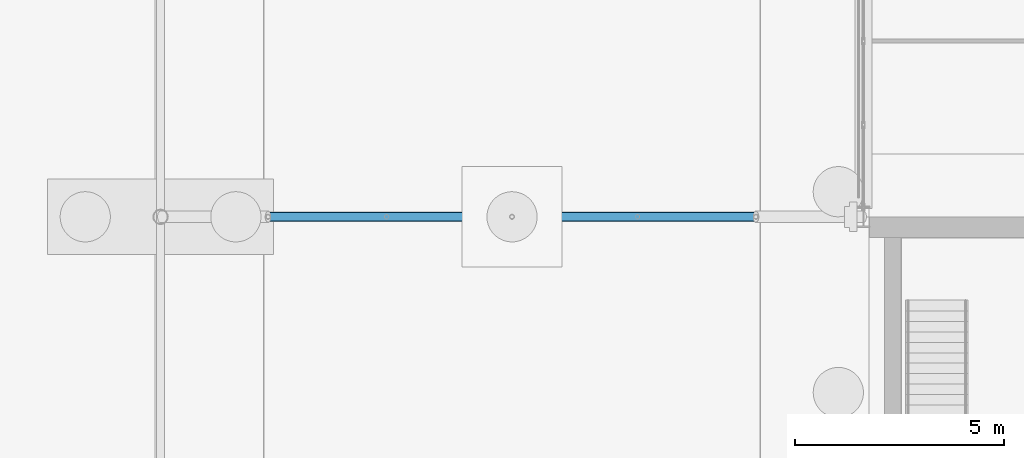
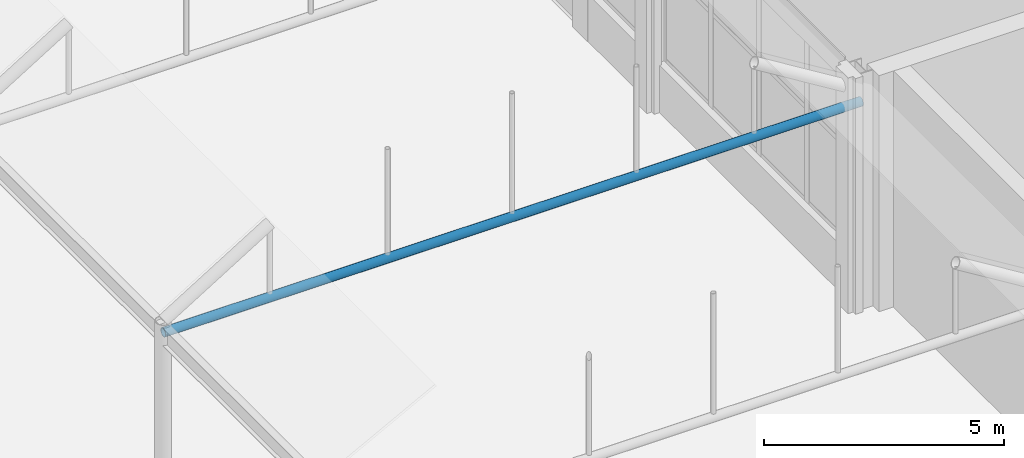
# One storey, part 144 of 212: 1 beam.
"""IFC4 building model written with IfcOpenShell, lengths in metres."""

from ifc_helpers import new_model, si_unit, direction, frame, origin, origin_2d, place, context, subcontext, project, spatial, hollow_circle, extrude, material, material_profile, profile_set, type_object, element, save


model = new_model("IFC4")

# Units and contexts
model_context = context("Model", 3, precision=1e-05, world=origin(), true_north=direction((0.0, 1.0)))
body_context = subcontext(model_context, "Body", "Model", "MODEL_VIEW")
ifc_project = project(units=[si_unit("LENGTHUNIT", "METRE"), si_unit("AREAUNIT", "SQUARE_METRE"), si_unit("VOLUMEUNIT", "CUBIC_METRE"), si_unit("PLANEANGLEUNIT", "RADIAN"), si_unit("MASSUNIT", "GRAM", prefix="KILO")], contexts=[model_context])

# Site, building, storey
site_placement = place(None, origin())
site = spatial("IfcSite", under=ifc_project, at=site_placement, CompositionType="ELEMENT")
building_placement = place(site_placement, origin())
building = spatial("IfcBuilding", under=site, at=building_placement, Name="Catenary Quay Ferry Terminal", CompositionType="ELEMENT")
storey_placement = place(building_placement, origin())
storey = spatial("IfcBuildingStorey", under=building, at=storey_placement, Name="L00", CompositionType="ELEMENT", Elevation=0.0)

# Beam
ifc_material = material(Name="Steel S355", Category="steel")
ifc_material_profile = material_profile(ifc_material, hollow_circle(Radius=0.109619140625, WallThickness=0.010009765625, at=origin_2d()), Name="CHS 219.1x10")
ifc_profile_set = profile_set([ifc_material_profile], Name="Steel S355")
beam_type = type_object("IfcBeamType", Name="TB2 CHS 219.1x10", PredefinedType="BEAM", material=ifc_profile_set)
beam_placement = place(storey_placement, frame((8.39990234375, 168.0, 5.10009765625), z_axis=(1.0, 0.0, 0.0), x_axis=(0.0, 1.0, 0.0)))
element("IfcBeam", 1, at=beam_placement, inside=storey, type_object=beam_type, Name="tie beam FC-13", PredefinedType="BEAM", context=body_context, shape_type="SweptSolid", body=[
    extrude(hollow_circle(Radius=0.109619140625, WallThickness=0.010009765625, at=origin_2d()), origin(), (0.0, 0.0, 1.0), 16.800048828125),
])

save(model, "model.ifc")
